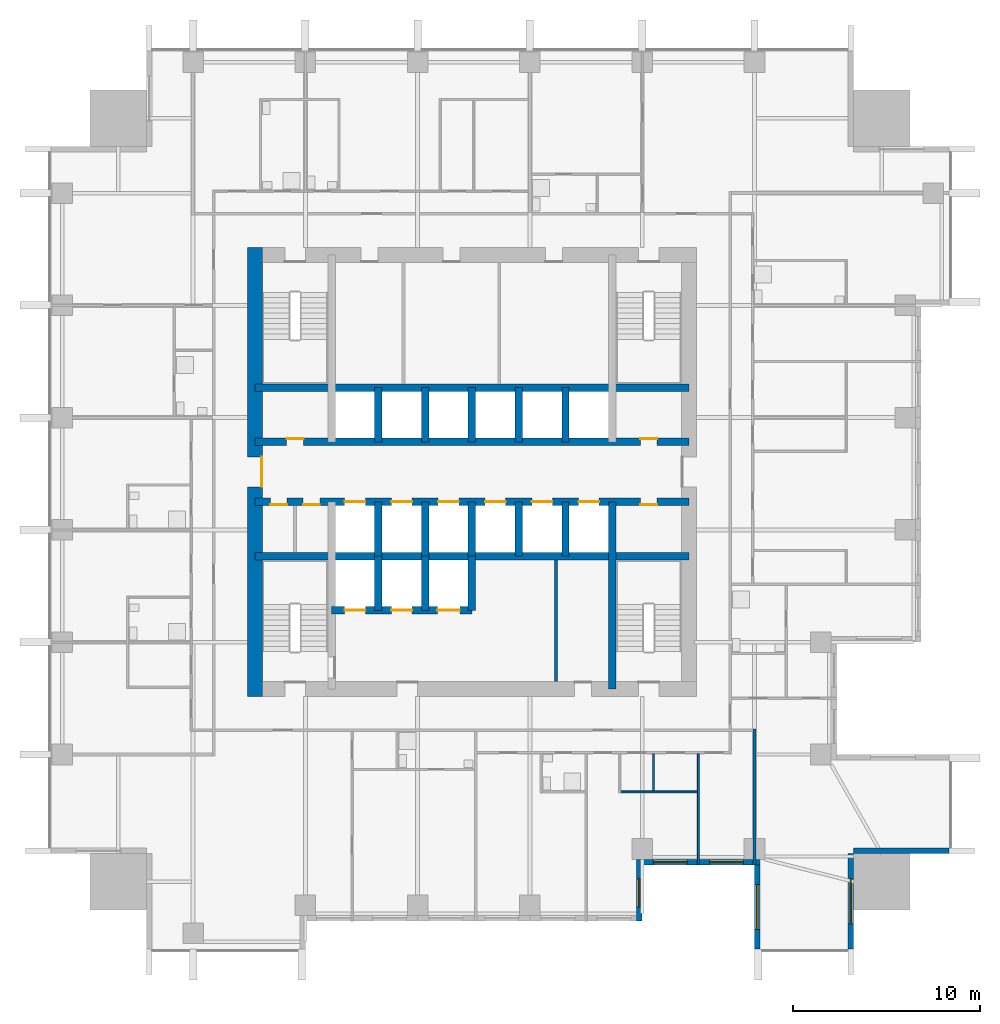
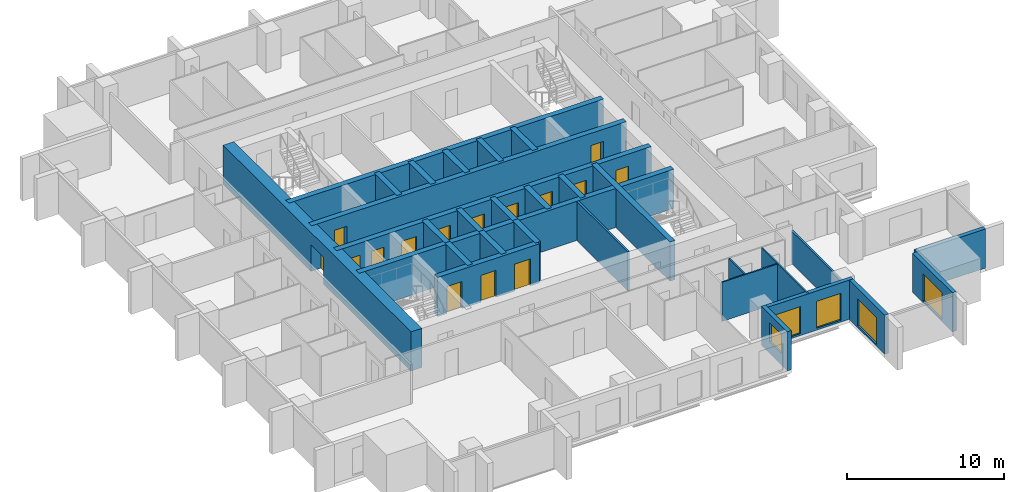
# One storey, part 5 of 10: 30 walls, 15 doors, 5 windows, 20 openings.
"""IFC4 building model written with IfcOpenShell, lengths in metres."""

from ifc_helpers import new_model, si_unit, direction, frame, frame_2d, origin, place, context, subcontext, project, spatial, rectangle, extrude, material, layer, layer_set, type_object, element, fill, save


model = new_model("IFC4")

# Units and contexts
model_context = context("Model", 3, precision=1e-05, world=origin(), true_north=direction((0.0, 1.0)))
body_context = subcontext(model_context, "Body", "Model", "MODEL_VIEW")
ifc_project = project(units=[si_unit("LENGTHUNIT", "METRE"), si_unit("AREAUNIT", "SQUARE_METRE"), si_unit("VOLUMEUNIT", "CUBIC_METRE"), si_unit("PLANEANGLEUNIT", "RADIAN"), si_unit("MASSUNIT", "GRAM", prefix="KILO")], contexts=[model_context])

# Site, building, storey
site_placement = place(None, origin())
site = spatial("IfcSite", under=ifc_project, at=site_placement, CompositionType="ELEMENT")
building_placement = place(site_placement, origin())
building = spatial("IfcBuilding", under=site, at=building_placement, Name="Amberfall Residences", CompositionType="ELEMENT")
storey_placement = place(building_placement, frame((0.0, 0.0, 82.0)))
storey = spatial("IfcBuildingStorey", under=building, at=storey_placement, Name="L21", CompositionType="ELEMENT", Elevation=82.0)

# Wall, opening, window
ifc_material_1 = material(Name="Pale stone cladding on insulated backing", Category="masonry")
ifc_layer_1 = layer(ifc_material_1, 0.300048828125)
ifc_layer_set_1 = layer_set([ifc_layer_1], Name="Bronze clad wall 300")
wall_type_1 = type_object("IfcWallType", Name="Bronze clad wall 300", PredefinedType="SOLIDWALL", material=ifc_layer_set_1)
wall_1_placement = place(storey_placement, frame((83.449951171875, 21.5, 0.0), z_axis=(0.0, 0.0, 1.0), x_axis=(0.0, 1.0, 0.0)))
wall_1 = element("IfcWall", 1, at=wall_1_placement, inside=storey, type_object=wall_type_1, Name="External wall L21 S", PredefinedType="SOLIDWALL", context=body_context, shape_type="SweptSolid", body=[
    extrude(rectangle(XDim=3.300048828125, YDim=0.300048828125, at=frame_2d((1.64990234375, 0.0))), origin(), (0.0, 0.0, 1.0), 3.050048828125),
])
opening_1_placement = place(wall_1_placement, frame((0.75, 0.0, 0.89990234375)))
opening_1 = element("IfcOpeningElement", 2, at=opening_1_placement, cuts=wall_1, Name="Opening WN1", PredefinedType="OPENING", context=body_context, shape_type="SweptSolid", body=[
    extrude(rectangle(XDim=1.5, YDim=1.5, at=frame_2d((0.75, 0.75))), frame((0.0, 0.159912109375, 0.0), z_axis=(0.0, -1.0, 0.0), x_axis=(1.0, 0.0, 0.0)), (0.0, 0.0, 1.0), 0.320068359375),
])
ifc_material_2 = material(Name="Bronze aluminium framed glazing", Category="aluminium")
window_type_1 = type_object("IfcWindowType", Name="Window 1500 x 1500 bronze", PartitioningType="DOUBLE_PANEL_VERTICAL", PredefinedType="WINDOW", material=ifc_material_2)
window_1_placement = place(opening_1_placement, origin())
window_1 = element("IfcWindow", 3, at=window_1_placement, inside=storey, type_object=window_type_1, Name="Window L21 S", OverallHeight=1.5, OverallWidth=1.5, PartitioningType="DOUBLE_PANEL_VERTICAL", PredefinedType="WINDOW", context=body_context, shape_type="SweptSolid", body=[
    extrude(rectangle(XDim=1.5, YDim=1.5, at=frame_2d((0.75, 0.75))), frame((0.0, 0.030029296875, 0.0), z_axis=(0.0, -1.0, 0.0), x_axis=(1.0, 0.0, 0.0)), (0.0, 0.0, 1.0), 0.06005859375),
])
fill(opening_1, window_1)

wall_2_placement = place(storey_placement, frame((89.75, 24.5, 0.0), z_axis=(0.0, 0.0, 1.0), x_axis=(0.0, -1.0, 0.0)))
wall_2 = element("IfcWall", 4, at=wall_2_placement, inside=storey, type_object=wall_type_1, Name="External wall L21 S", PredefinedType="SOLIDWALL", context=body_context, shape_type="SweptSolid", body=[
    extrude(rectangle(XDim=4.5, YDim=0.300048828125, at=frame_2d((2.25, 0.0))), origin(), (0.0, 0.0, 1.0), 3.050048828125),
])
opening_2_placement = place(wall_2_placement, frame((1.050048828125, 0.0, 0.14990234375)))
opening_2 = element("IfcOpeningElement", 5, at=opening_2_placement, cuts=wall_2, Name="Opening WN5", PredefinedType="OPENING", context=body_context, shape_type="SweptSolid", body=[
    extrude(rectangle(XDim=2.39990234375, YDim=2.10009765625, at=frame_2d((1.199951171875, 1.050048828125))), frame((0.0, 0.159912109375, 0.0), z_axis=(0.0, -1.0, 0.0), x_axis=(1.0, 0.0, 0.0)), (0.0, 0.0, 1.0), 0.320068359375),
])
window_type_2 = type_object("IfcWindowType", Name="Glazed opening 2400 x 2100 bronze", PartitioningType="DOUBLE_PANEL_VERTICAL", PredefinedType="WINDOW", material=ifc_material_2)
window_2_placement = place(opening_2_placement, origin())
window_2 = element("IfcWindow", 6, at=window_2_placement, inside=storey, type_object=window_type_2, Name="Window L21 S", OverallHeight=2.10009765625, OverallWidth=2.39990234375, PartitioningType="DOUBLE_PANEL_VERTICAL", PredefinedType="WINDOW", context=body_context, shape_type="SweptSolid", body=[
    extrude(rectangle(XDim=2.39990234375, YDim=2.10009765625, at=frame_2d((1.199951171875, 1.050048828125))), frame((0.0, 0.030029296875, 0.0), z_axis=(0.0, -1.0, 0.0), x_axis=(1.0, 0.0, 0.0)), (0.0, 0.0, 1.0), 0.06005859375),
])
fill(opening_2, window_2)

wall_3_placement = place(storey_placement, frame((94.75, 20.0, 0.0), z_axis=(0.0, 0.0, 1.0), x_axis=(0.0, 1.0, 0.0)))
wall_3 = element("IfcWall", 7, at=wall_3_placement, inside=storey, type_object=wall_type_1, Name="External wall L21 SE", PredefinedType="SOLIDWALL", context=body_context, shape_type="SweptSolid", body=[
    extrude(rectangle(XDim=5.10009765625, YDim=0.300048828125, at=frame_2d((2.550048828125, 0.0))), origin(), (0.0, 0.0, 1.0), 3.050048828125),
])
opening_3_placement = place(wall_3_placement, frame((1.35009765625, 0.0, 0.14990234375)))
opening_3 = element("IfcOpeningElement", 8, at=opening_3_placement, cuts=wall_3, Name="Opening WN5", PredefinedType="OPENING", context=body_context, shape_type="SweptSolid", body=[
    extrude(rectangle(XDim=2.39990234375, YDim=2.10009765625, at=frame_2d((1.199951171875, 1.050048828125))), frame((0.0, 0.159912109375, 0.0), z_axis=(0.0, -1.0, 0.0), x_axis=(1.0, 0.0, 0.0)), (0.0, 0.0, 1.0), 0.320068359375),
])
window_3_placement = place(opening_3_placement, origin())
window_3 = element("IfcWindow", 9, at=window_3_placement, inside=storey, type_object=window_type_2, Name="Window L21 SE", OverallHeight=2.10009765625, OverallWidth=2.39990234375, PartitioningType="DOUBLE_PANEL_VERTICAL", PredefinedType="WINDOW", context=body_context, shape_type="SweptSolid", body=[
    extrude(rectangle(XDim=2.39990234375, YDim=2.10009765625, at=frame_2d((1.199951171875, 1.050048828125))), frame((0.0, 0.030029296875, 0.0), z_axis=(0.0, -1.0, 0.0), x_axis=(1.0, 0.0, 0.0)), (0.0, 0.0, 1.0), 0.06005859375),
])
fill(opening_3, window_3)

# Wall
wall_4_placement = place(storey_placement, frame((94.89990234375, 25.25, 0.0), z_axis=(0.0, 0.0, 1.0), x_axis=(1.0, 0.0, 0.0)))
element("IfcWall", 10, at=wall_4_placement, inside=storey, type_object=wall_type_1, Name="External wall L21 SE", PredefinedType="SOLIDWALL", context=body_context, shape_type="SweptSolid", body=[
    extrude(rectangle(XDim=5.10009765625, YDim=0.300048828125, at=frame_2d((2.550048828125, 0.0))), origin(), (0.0, 0.0, 1.0), 3.050048828125),
])

# Wall, openings, windows
wall_5_placement = place(storey_placement, frame((83.60009765625, 24.64990234375, 0.0), z_axis=(0.0, 0.0, 1.0), x_axis=(1.0, 0.0, 0.0)))
wall_5 = element("IfcWall", 11, at=wall_5_placement, inside=storey, type_object=wall_type_1, Name="Stone wall L21 S", PredefinedType="SOLIDWALL", context=body_context, shape_type="SweptSolid", body=[
    extrude(rectangle(XDim=6.2998046875, YDim=0.300048828125, at=frame_2d((3.14990234375, 0.0))), origin(), (0.0, 0.0, 1.0), 3.050048828125),
])
opening_4_placement = place(wall_5_placement, frame((0.60009765625, 0.0, 0.14990234375)))
opening_4 = element("IfcOpeningElement", 12, at=opening_4_placement, cuts=wall_5, Name="Opening WN6", PredefinedType="OPENING", context=body_context, shape_type="SweptSolid", body=[
    extrude(rectangle(XDim=1.800048828125, YDim=2.10009765625, at=frame_2d((0.89990234375, 1.050048828125))), frame((0.0, 0.159912109375, 0.0), z_axis=(0.0, -1.0, 0.0), x_axis=(1.0, 0.0, 0.0)), (0.0, 0.0, 1.0), 0.320068359375),
])
opening_5_placement = place(wall_5_placement, frame((3.60009765625, 0.0, 0.14990234375)))
opening_5 = element("IfcOpeningElement", 13, at=opening_5_placement, cuts=wall_5, Name="Opening WN6", PredefinedType="OPENING", context=body_context, shape_type="SweptSolid", body=[
    extrude(rectangle(XDim=1.800048828125, YDim=2.10009765625, at=frame_2d((0.89990234375, 1.050048828125))), frame((0.0, 0.159912109375, 0.0), z_axis=(0.0, -1.0, 0.0), x_axis=(1.0, 0.0, 0.0)), (0.0, 0.0, 1.0), 0.320068359375),
])
window_type_3 = type_object("IfcWindowType", Name="Glazed opening 1800 x 2100 bronze", PartitioningType="DOUBLE_PANEL_VERTICAL", PredefinedType="WINDOW", material=ifc_material_2)
window_4_placement = place(opening_4_placement, origin())
window_4 = element("IfcWindow", 14, at=window_4_placement, inside=storey, type_object=window_type_3, Name="Window L21 S", OverallHeight=2.10009765625, OverallWidth=1.800048828125, PartitioningType="DOUBLE_PANEL_VERTICAL", PredefinedType="WINDOW", context=body_context, shape_type="SweptSolid", body=[
    extrude(rectangle(XDim=1.800048828125, YDim=2.10009765625, at=frame_2d((0.89990234375, 1.050048828125))), frame((0.0, 0.030029296875, 0.0), z_axis=(0.0, -1.0, 0.0), x_axis=(1.0, 0.0, 0.0)), (0.0, 0.0, 1.0), 0.06005859375),
])
fill(opening_4, window_4)
window_5_placement = place(opening_5_placement, origin())
window_5 = element("IfcWindow", 15, at=window_5_placement, inside=storey, type_object=window_type_3, Name="Window L21 S", OverallHeight=2.10009765625, OverallWidth=1.800048828125, PartitioningType="DOUBLE_PANEL_VERTICAL", PredefinedType="WINDOW", context=body_context, shape_type="SweptSolid", body=[
    extrude(rectangle(XDim=1.800048828125, YDim=2.10009765625, at=frame_2d((0.89990234375, 1.050048828125))), frame((0.0, 0.030029296875, 0.0), z_axis=(0.0, -1.0, 0.0), x_axis=(1.0, 0.0, 0.0)), (0.0, 0.0, 1.0), 0.06005859375),
])
fill(opening_5, window_5)

# Wall
ifc_material_3 = material(Name="Concrete C70", Category="concrete")
ifc_layer_2 = layer(ifc_material_3, 0.39990234375)
ifc_layer_set_2 = layer_set([ifc_layer_2], Name="Core wall 400 C70")
wall_type_2 = type_object("IfcWallType", Name="Core wall 400 C70", PredefinedType="SHEAR", material=ifc_layer_set_2)
wall_6_placement = place(storey_placement, frame((62.89990234375, 41.0, 0.0), z_axis=(0.0, 0.0, 1.0), x_axis=(1.0, 0.0, 0.0)))
element("IfcWall", 16, at=wall_6_placement, inside=storey, type_object=wall_type_2, Name="Core wall RW4 L21 H75", PredefinedType="SHEAR", context=body_context, shape_type="SweptSolid", body=[
    extrude(rectangle(XDim=23.2001953125, YDim=0.39990234375, at=frame_2d((11.60009765625, 0.0))), origin(), (0.0, 0.0, 1.0), 3.050048828125),
])

# Wall, openings, doors
wall_7_placement = place(storey_placement, frame((62.89990234375, 43.89990234375, 0.0), z_axis=(0.0, 0.0, 1.0), x_axis=(1.0, 0.0, 0.0)))
wall_7 = element("IfcWall", 17, at=wall_7_placement, inside=storey, type_object=wall_type_2, Name="Core wall RW4 L21 H104", PredefinedType="SHEAR", context=body_context, shape_type="SweptSolid", body=[
    extrude(rectangle(XDim=23.2001953125, YDim=0.39990234375, at=frame_2d((11.60009765625, 0.0))), origin(), (0.0, 0.0, 1.0), 3.050048828125),
])
opening_6_placement = place(wall_7_placement, frame((0.824951171875, 0.0, 0.0)))
opening_6 = element("IfcOpeningElement", 18, at=opening_6_placement, cuts=wall_7, Name="Opening RD1", PredefinedType="OPENING", context=body_context, shape_type="SweptSolid", body=[
    extrude(rectangle(XDim=0.89990234375, YDim=2.10009765625, at=frame_2d((0.449951171875, 1.050048828125))), frame((0.0, 0.2099609375, 0.0), z_axis=(0.0, -1.0, 0.0), x_axis=(1.0, 0.0, 0.0)), (0.0, 0.0, 1.0), 0.419921875),
])
opening_7_placement = place(wall_7_placement, frame((2.574951171875, 0.0, 0.0)))
opening_7 = element("IfcOpeningElement", 19, at=opening_7_placement, cuts=wall_7, Name="Opening RD1", PredefinedType="OPENING", context=body_context, shape_type="SweptSolid", body=[
    extrude(rectangle(XDim=0.89990234375, YDim=2.10009765625, at=frame_2d((0.449951171875, 1.050048828125))), frame((0.0, 0.2099609375, 0.0), z_axis=(0.0, -1.0, 0.0), x_axis=(1.0, 0.0, 0.0)), (0.0, 0.0, 1.0), 0.419921875),
])
opening_8_placement = place(wall_7_placement, frame((20.60009765625, 0.0, 0.0)))
opening_8 = element("IfcOpeningElement", 20, at=opening_8_placement, cuts=wall_7, Name="Opening RD1", PredefinedType="OPENING", context=body_context, shape_type="SweptSolid", body=[
    extrude(rectangle(XDim=0.89990234375, YDim=2.10009765625, at=frame_2d((0.449951171875, 1.050048828125))), frame((0.0, 0.2099609375, 0.0), z_axis=(0.0, -1.0, 0.0), x_axis=(1.0, 0.0, 0.0)), (0.0, 0.0, 1.0), 0.419921875),
])
opening_9_placement = place(wall_7_placement, frame((4.800048828125, 0.0, 0.0)))
opening_9 = element("IfcOpeningElement", 21, at=opening_9_placement, cuts=wall_7, Name="Opening LD1", PredefinedType="OPENING", context=body_context, shape_type="SweptSolid", body=[
    extrude(rectangle(XDim=1.10009765625, YDim=2.10009765625, at=frame_2d((0.550048828125, 1.050048828125))), frame((0.0, 0.2099609375, 0.0), z_axis=(0.0, -1.0, 0.0), x_axis=(1.0, 0.0, 0.0)), (0.0, 0.0, 1.0), 0.419921875),
])
opening_10_placement = place(wall_7_placement, frame((7.300048828125, 0.0, 0.0)))
opening_10 = element("IfcOpeningElement", 22, at=opening_10_placement, cuts=wall_7, Name="Opening LD1", PredefinedType="OPENING", context=body_context, shape_type="SweptSolid", body=[
    extrude(rectangle(XDim=1.10009765625, YDim=2.10009765625, at=frame_2d((0.550048828125, 1.050048828125))), frame((0.0, 0.2099609375, 0.0), z_axis=(0.0, -1.0, 0.0), x_axis=(1.0, 0.0, 0.0)), (0.0, 0.0, 1.0), 0.419921875),
])
opening_11_placement = place(wall_7_placement, frame((9.800048828125, 0.0, 0.0)))
opening_11 = element("IfcOpeningElement", 23, at=opening_11_placement, cuts=wall_7, Name="Opening LD1", PredefinedType="OPENING", context=body_context, shape_type="SweptSolid", body=[
    extrude(rectangle(XDim=1.10009765625, YDim=2.10009765625, at=frame_2d((0.550048828125, 1.050048828125))), frame((0.0, 0.2099609375, 0.0), z_axis=(0.0, -1.0, 0.0), x_axis=(1.0, 0.0, 0.0)), (0.0, 0.0, 1.0), 0.419921875),
])
opening_12_placement = place(wall_7_placement, frame((12.300048828125, 0.0, 0.0)))
opening_12 = element("IfcOpeningElement", 24, at=opening_12_placement, cuts=wall_7, Name="Opening LD1", PredefinedType="OPENING", context=body_context, shape_type="SweptSolid", body=[
    extrude(rectangle(XDim=1.10009765625, YDim=2.10009765625, at=frame_2d((0.550048828125, 1.050048828125))), frame((0.0, 0.2099609375, 0.0), z_axis=(0.0, -1.0, 0.0), x_axis=(1.0, 0.0, 0.0)), (0.0, 0.0, 1.0), 0.419921875),
])
opening_13_placement = place(wall_7_placement, frame((14.800048828125, 0.0, 0.0)))
opening_13 = element("IfcOpeningElement", 25, at=opening_13_placement, cuts=wall_7, Name="Opening LD1", PredefinedType="OPENING", context=body_context, shape_type="SweptSolid", body=[
    extrude(rectangle(XDim=1.10009765625, YDim=2.10009765625, at=frame_2d((0.550048828125, 1.050048828125))), frame((0.0, 0.2099609375, 0.0), z_axis=(0.0, -1.0, 0.0), x_axis=(1.0, 0.0, 0.0)), (0.0, 0.0, 1.0), 0.419921875),
])
opening_14_placement = place(wall_7_placement, frame((17.300048828125, 0.0, 0.0)))
opening_14 = element("IfcOpeningElement", 26, at=opening_14_placement, cuts=wall_7, Name="Opening LD1", PredefinedType="OPENING", context=body_context, shape_type="SweptSolid", body=[
    extrude(rectangle(XDim=1.10009765625, YDim=2.10009765625, at=frame_2d((0.550048828125, 1.050048828125))), frame((0.0, 0.2099609375, 0.0), z_axis=(0.0, -1.0, 0.0), x_axis=(1.0, 0.0, 0.0)), (0.0, 0.0, 1.0), 0.419921875),
])
ifc_material_4 = material(Name="Steel fire door set", Category="steel")
door_type_1 = type_object("IfcDoorType", Name="Lift landing door 1100 x 2100", OperationType="DOUBLE_DOOR_SLIDING", PredefinedType="DOOR", material=ifc_material_4)
door_1_placement = place(opening_9_placement, origin())
door_1 = element("IfcDoor", 27, at=door_1_placement, inside=storey, type_object=door_type_1, Name="Landing door LP1 L21", OperationType="DOUBLE_DOOR_SLIDING", OverallHeight=2.10009765625, OverallWidth=1.10009765625, PredefinedType="DOOR", context=body_context, shape_type="SweptSolid", body=[
    extrude(rectangle(XDim=1.10009765625, YDim=2.10009765625, at=frame_2d((0.550048828125, 1.050048828125))), frame((0.0, 0.02490234375, 0.0), z_axis=(0.0, -1.0, 0.0), x_axis=(1.0, 0.0, 0.0)), (0.0, 0.0, 1.0), 0.050048828125),
])
fill(opening_9, door_1)
door_2_placement = place(opening_10_placement, origin())
door_2 = element("IfcDoor", 28, at=door_2_placement, inside=storey, type_object=door_type_1, Name="Landing door LP2 L21", OperationType="DOUBLE_DOOR_SLIDING", OverallHeight=2.10009765625, OverallWidth=1.10009765625, PredefinedType="DOOR", context=body_context, shape_type="SweptSolid", body=[
    extrude(rectangle(XDim=1.10009765625, YDim=2.10009765625, at=frame_2d((0.550048828125, 1.050048828125))), frame((0.0, 0.02490234375, 0.0), z_axis=(0.0, -1.0, 0.0), x_axis=(1.0, 0.0, 0.0)), (0.0, 0.0, 1.0), 0.050048828125),
])
fill(opening_10, door_2)
door_3_placement = place(opening_11_placement, origin())
door_3 = element("IfcDoor", 29, at=door_3_placement, inside=storey, type_object=door_type_1, Name="Landing door LP3 L21", OperationType="DOUBLE_DOOR_SLIDING", OverallHeight=2.10009765625, OverallWidth=1.10009765625, PredefinedType="DOOR", context=body_context, shape_type="SweptSolid", body=[
    extrude(rectangle(XDim=1.10009765625, YDim=2.10009765625, at=frame_2d((0.550048828125, 1.050048828125))), frame((0.0, 0.02490234375, 0.0), z_axis=(0.0, -1.0, 0.0), x_axis=(1.0, 0.0, 0.0)), (0.0, 0.0, 1.0), 0.050048828125),
])
fill(opening_11, door_3)
door_4_placement = place(opening_12_placement, origin())
door_4 = element("IfcDoor", 30, at=door_4_placement, inside=storey, type_object=door_type_1, Name="Landing door LP4 L21", OperationType="DOUBLE_DOOR_SLIDING", OverallHeight=2.10009765625, OverallWidth=1.10009765625, PredefinedType="DOOR", context=body_context, shape_type="SweptSolid", body=[
    extrude(rectangle(XDim=1.10009765625, YDim=2.10009765625, at=frame_2d((0.550048828125, 1.050048828125))), frame((0.0, 0.02490234375, 0.0), z_axis=(0.0, -1.0, 0.0), x_axis=(1.0, 0.0, 0.0)), (0.0, 0.0, 1.0), 0.050048828125),
])
fill(opening_12, door_4)
door_5_placement = place(opening_13_placement, origin())
door_5 = element("IfcDoor", 31, at=door_5_placement, inside=storey, type_object=door_type_1, Name="Landing door LP5 L21", OperationType="DOUBLE_DOOR_SLIDING", OverallHeight=2.10009765625, OverallWidth=1.10009765625, PredefinedType="DOOR", context=body_context, shape_type="SweptSolid", body=[
    extrude(rectangle(XDim=1.10009765625, YDim=2.10009765625, at=frame_2d((0.550048828125, 1.050048828125))), frame((0.0, 0.02490234375, 0.0), z_axis=(0.0, -1.0, 0.0), x_axis=(1.0, 0.0, 0.0)), (0.0, 0.0, 1.0), 0.050048828125),
])
fill(opening_13, door_5)
door_6_placement = place(opening_14_placement, origin())
door_6 = element("IfcDoor", 32, at=door_6_placement, inside=storey, type_object=door_type_1, Name="Landing door LP6 L21", OperationType="DOUBLE_DOOR_SLIDING", OverallHeight=2.10009765625, OverallWidth=1.10009765625, PredefinedType="DOOR", context=body_context, shape_type="SweptSolid", body=[
    extrude(rectangle(XDim=1.10009765625, YDim=2.10009765625, at=frame_2d((0.550048828125, 1.050048828125))), frame((0.0, 0.02490234375, 0.0), z_axis=(0.0, -1.0, 0.0), x_axis=(1.0, 0.0, 0.0)), (0.0, 0.0, 1.0), 0.050048828125),
])
fill(opening_14, door_6)
door_type_2 = type_object("IfcDoorType", Name="Service room door 900 x 2100", OperationType="SINGLE_SWING_LEFT", PredefinedType="DOOR", material=ifc_material_4)
door_7_placement = place(opening_6_placement, origin())
door_7 = element("IfcDoor", 33, at=door_7_placement, inside=storey, type_object=door_type_2, Name="RD1 L21", OperationType="SINGLE_SWING_LEFT", OverallHeight=2.10009765625, OverallWidth=0.89990234375, PredefinedType="DOOR", context=body_context, shape_type="SweptSolid", body=[
    extrude(rectangle(XDim=0.89990234375, YDim=2.10009765625, at=frame_2d((0.449951171875, 1.050048828125))), frame((0.0, -0.1376953125, 0.0), z_axis=(0.0, -1.0, 0.0), x_axis=(1.0, 0.0, 0.0)), (0.0, 0.0, 1.0), 0.050048828125),
])
fill(opening_6, door_7)
door_8_placement = place(opening_7_placement, origin())
door_8 = element("IfcDoor", 34, at=door_8_placement, inside=storey, type_object=door_type_2, Name="RD1 L21", OperationType="SINGLE_SWING_RIGHT", OverallHeight=2.10009765625, OverallWidth=0.89990234375, PredefinedType="DOOR", context=body_context, shape_type="SweptSolid", body=[
    extrude(rectangle(XDim=0.89990234375, YDim=2.10009765625, at=frame_2d((0.449951171875, 1.050048828125))), frame((0.0, -0.1376953125, 0.0), z_axis=(0.0, -1.0, 0.0), x_axis=(1.0, 0.0, 0.0)), (0.0, 0.0, 1.0), 0.050048828125),
])
fill(opening_7, door_8)
door_9_placement = place(opening_8_placement, origin())
door_9 = element("IfcDoor", 35, at=door_9_placement, inside=storey, type_object=door_type_2, Name="RD1 L21", OperationType="SINGLE_SWING_LEFT", OverallHeight=2.10009765625, OverallWidth=0.89990234375, PredefinedType="DOOR", context=body_context, shape_type="SweptSolid", body=[
    extrude(rectangle(XDim=0.89990234375, YDim=2.10009765625, at=frame_2d((0.449951171875, 1.050048828125))), frame((0.0, -0.1376953125, 0.0), z_axis=(0.0, -1.0, 0.0), x_axis=(1.0, 0.0, 0.0)), (0.0, 0.0, 1.0), 0.050048828125),
])
fill(opening_8, door_9)

wall_8_placement = place(storey_placement, frame((62.89990234375, 47.10009765625, 0.0), z_axis=(0.0, 0.0, 1.0), x_axis=(1.0, 0.0, 0.0)))
wall_8 = element("IfcWall", 36, at=wall_8_placement, inside=storey, type_object=wall_type_2, Name="Core wall RW4 L21 H136", PredefinedType="SHEAR", context=body_context, shape_type="SweptSolid", body=[
    extrude(rectangle(XDim=23.2001953125, YDim=0.39990234375, at=frame_2d((11.60009765625, 0.0))), origin(), (0.0, 0.0, 1.0), 3.050048828125),
])
opening_15_placement = place(wall_8_placement, frame((1.699951171875, 0.0, 0.0)))
opening_15 = element("IfcOpeningElement", 37, at=opening_15_placement, cuts=wall_8, Name="Opening RD1", PredefinedType="OPENING", context=body_context, shape_type="SweptSolid", body=[
    extrude(rectangle(XDim=0.89990234375, YDim=2.10009765625, at=frame_2d((0.449951171875, 1.050048828125))), frame((0.0, 0.2099609375, 0.0), z_axis=(0.0, -1.0, 0.0), x_axis=(1.0, 0.0, 0.0)), (0.0, 0.0, 1.0), 0.419921875),
])
opening_16_placement = place(wall_8_placement, frame((20.60009765625, 0.0, 0.0)))
opening_16 = element("IfcOpeningElement", 38, at=opening_16_placement, cuts=wall_8, Name="Opening RD1", PredefinedType="OPENING", context=body_context, shape_type="SweptSolid", body=[
    extrude(rectangle(XDim=0.89990234375, YDim=2.10009765625, at=frame_2d((0.449951171875, 1.050048828125))), frame((0.0, 0.2099609375, 0.0), z_axis=(0.0, -1.0, 0.0), x_axis=(1.0, 0.0, 0.0)), (0.0, 0.0, 1.0), 0.419921875),
])
door_10_placement = place(opening_15_placement, origin())
door_10 = element("IfcDoor", 39, at=door_10_placement, inside=storey, type_object=door_type_2, Name="RD1 L21", OperationType="SINGLE_SWING_LEFT", OverallHeight=2.10009765625, OverallWidth=0.89990234375, PredefinedType="DOOR", context=body_context, shape_type="SweptSolid", body=[
    extrude(rectangle(XDim=0.89990234375, YDim=2.10009765625, at=frame_2d((0.449951171875, 1.050048828125))), frame((0.0, 0.1875, 0.0), z_axis=(0.0, -1.0, 0.0), x_axis=(1.0, 0.0, 0.0)), (0.0, 0.0, 1.0), 0.050048828125),
])
fill(opening_15, door_10)
door_11_placement = place(opening_16_placement, origin())
door_11 = element("IfcDoor", 40, at=door_11_placement, inside=storey, type_object=door_type_2, Name="RD1 L21", OperationType="SINGLE_SWING_LEFT", OverallHeight=2.10009765625, OverallWidth=0.89990234375, PredefinedType="DOOR", context=body_context, shape_type="SweptSolid", body=[
    extrude(rectangle(XDim=0.89990234375, YDim=2.10009765625, at=frame_2d((0.449951171875, 1.050048828125))), frame((0.0, 0.1875, 0.0), z_axis=(0.0, -1.0, 0.0), x_axis=(1.0, 0.0, 0.0)), (0.0, 0.0, 1.0), 0.050048828125),
])
fill(opening_16, door_11)

# Walls
wall_9_placement = place(storey_placement, frame((62.89990234375, 50.0, 0.0), z_axis=(0.0, 0.0, 1.0), x_axis=(1.0, 0.0, 0.0)))
element("IfcWall", 41, at=wall_9_placement, inside=storey, type_object=wall_type_2, Name="Core wall RW4 L21 H165", PredefinedType="SHEAR", context=body_context, shape_type="SweptSolid", body=[
    extrude(rectangle(XDim=23.2001953125, YDim=0.39990234375, at=frame_2d((11.60009765625, 0.0))), origin(), (0.0, 0.0, 1.0), 3.050048828125),
])
wall_10_placement = place(storey_placement, frame((82.0, 33.89990234375, 0.0), z_axis=(0.0, 0.0, 1.0), x_axis=(0.0, 1.0, 0.0)))
element("IfcWall", 42, at=wall_10_placement, inside=storey, type_object=wall_type_2, Name="Core wall RW4 L21 V195S", PredefinedType="SHEAR", context=body_context, shape_type="SweptSolid", body=[
    extrude(rectangle(XDim=10.0, YDim=0.39990234375, at=frame_2d((5.0, 0.0))), origin(), (0.0, 0.0, 1.0), 3.050048828125),
])
for number, where, z_axis, x_axis, name in (
    (43, (69.5, 41.0, 0.0), (0.0, 0.0, 1.0), (0.0, 1.0, 0.0), "Core wall RW4 L21 LPD1"),
    (44, (69.5, 47.10009765625, 0.0), (0.0, 0.0, 1.0), (0.0, 1.0, 0.0), "Core wall RW4 L21 HPD1"),
    (45, (72.0, 41.0, 0.0), (0.0, 0.0, 1.0), (0.0, 1.0, 0.0), "Core wall RW4 L21 LPD2"),
    (46, (72.0, 47.10009765625, 0.0), (0.0, 0.0, 1.0), (0.0, 1.0, 0.0), "Core wall RW4 L21 HPD2"),
    (47, (74.5, 41.0, 0.0), (0.0, 0.0, 1.0), (0.0, 1.0, 0.0), "Core wall RW4 L21 LPD3"),
    (48, (74.5, 47.10009765625, 0.0), (0.0, 0.0, 1.0), (0.0, 1.0, 0.0), "Core wall RW4 L21 HPD3"),
    (49, (77.0, 41.0, 0.0), (0.0, 0.0, 1.0), (0.0, 1.0, 0.0), "Core wall RW4 L21 LPD4"),
    (50, (77.0, 47.10009765625, 0.0), (0.0, 0.0, 1.0), (0.0, 1.0, 0.0), "Core wall RW4 L21 HPD4"),
    (51, (79.5, 41.0, 0.0), (0.0, 0.0, 1.0), (0.0, 1.0, 0.0), "Core wall RW4 L21 LPD5"),
    (52, (79.5, 47.10009765625, 0.0), (0.0, 0.0, 1.0), (0.0, 1.0, 0.0), "Core wall RW4 L21 HPD5"),
):
    element("IfcWall", number, at=place(storey_placement, frame(where, z_axis=z_axis, x_axis=x_axis)), inside=storey, type_object=wall_type_2, Name=name, PredefinedType="SHEAR", context=body_context, shape_type="SweptSolid", body=[
        extrude(rectangle(XDim=2.89990234375, YDim=0.39990234375, at=frame_2d((1.449951171875, 0.0))), origin(), (0.0, 0.0, 1.0), 3.050048828125),
    ])

# Wall, openings, doors
wall_11_placement = place(storey_placement, frame((67.0, 38.10009765625, 0.0), z_axis=(0.0, 0.0, 1.0), x_axis=(1.0, 0.0, 0.0)))
wall_11 = element("IfcWall", 53, at=wall_11_placement, inside=storey, type_object=wall_type_2, Name="Core wall RW4 L21 FFF", PredefinedType="SHEAR", context=body_context, shape_type="SweptSolid", body=[
    extrude(rectangle(XDim=7.5, YDim=0.39990234375, at=frame_2d((3.75, 0.0))), origin(), (0.0, 0.0, 1.0), 3.050048828125),
])
opening_17_placement = place(wall_11_placement, frame((0.699951171875, 0.0, 0.0)))
opening_17 = element("IfcOpeningElement", 54, at=opening_17_placement, cuts=wall_11, Name="Opening LD2", PredefinedType="OPENING", context=body_context, shape_type="SweptSolid", body=[
    extrude(rectangle(XDim=1.10009765625, YDim=2.10009765625, at=frame_2d((0.550048828125, 1.050048828125))), frame((0.0, 0.2099609375, 0.0), z_axis=(0.0, -1.0, 0.0), x_axis=(1.0, 0.0, 0.0)), (0.0, 0.0, 1.0), 0.419921875),
])
opening_18_placement = place(wall_11_placement, frame((3.199951171875, 0.0, 0.0)))
opening_18 = element("IfcOpeningElement", 55, at=opening_18_placement, cuts=wall_11, Name="Opening LD2", PredefinedType="OPENING", context=body_context, shape_type="SweptSolid", body=[
    extrude(rectangle(XDim=1.10009765625, YDim=2.10009765625, at=frame_2d((0.550048828125, 1.050048828125))), frame((0.0, 0.2099609375, 0.0), z_axis=(0.0, -1.0, 0.0), x_axis=(1.0, 0.0, 0.0)), (0.0, 0.0, 1.0), 0.419921875),
])
opening_19_placement = place(wall_11_placement, frame((5.64990234375, 0.0, 0.0)))
opening_19 = element("IfcOpeningElement", 56, at=opening_19_placement, cuts=wall_11, Name="Opening LD3", PredefinedType="OPENING", context=body_context, shape_type="SweptSolid", body=[
    extrude(rectangle(XDim=1.199951171875, YDim=2.10009765625, at=frame_2d((0.60009765625, 1.050048828125))), frame((0.0, 0.2099609375, 0.0), z_axis=(0.0, -1.0, 0.0), x_axis=(1.0, 0.0, 0.0)), (0.0, 0.0, 1.0), 0.419921875),
])
door_type_3 = type_object("IfcDoorType", Name="Firefighting lift landing door 1100 x 2100", OperationType="DOUBLE_DOOR_SLIDING", PredefinedType="DOOR", material=ifc_material_4)
door_12_placement = place(opening_17_placement, origin())
door_12 = element("IfcDoor", 57, at=door_12_placement, inside=storey, type_object=door_type_3, Name="Landing door FF1 L21", OperationType="DOUBLE_DOOR_SLIDING", OverallHeight=2.10009765625, OverallWidth=1.10009765625, PredefinedType="DOOR", context=body_context, shape_type="SweptSolid", body=[
    extrude(rectangle(XDim=1.10009765625, YDim=2.10009765625, at=frame_2d((0.550048828125, 1.050048828125))), frame((0.0, 0.02490234375, 0.0), z_axis=(0.0, -1.0, 0.0), x_axis=(1.0, 0.0, 0.0)), (0.0, 0.0, 1.0), 0.050048828125),
])
fill(opening_17, door_12)
door_13_placement = place(opening_18_placement, origin())
door_13 = element("IfcDoor", 58, at=door_13_placement, inside=storey, type_object=door_type_3, Name="Landing door FF2 L21", OperationType="DOUBLE_DOOR_SLIDING", OverallHeight=2.10009765625, OverallWidth=1.10009765625, PredefinedType="DOOR", context=body_context, shape_type="SweptSolid", body=[
    extrude(rectangle(XDim=1.10009765625, YDim=2.10009765625, at=frame_2d((0.550048828125, 1.050048828125))), frame((0.0, 0.02490234375, 0.0), z_axis=(0.0, -1.0, 0.0), x_axis=(1.0, 0.0, 0.0)), (0.0, 0.0, 1.0), 0.050048828125),
])
fill(opening_18, door_13)
door_type_4 = type_object("IfcDoorType", Name="Service lift landing door 1200 x 2100", OperationType="DOUBLE_DOOR_SLIDING", PredefinedType="DOOR", material=ifc_material_4)
door_14_placement = place(opening_19_placement, origin())
door_14 = element("IfcDoor", 59, at=door_14_placement, inside=storey, type_object=door_type_4, Name="Landing door SL1 L21", OperationType="DOUBLE_DOOR_SLIDING", OverallHeight=2.10009765625, OverallWidth=1.199951171875, PredefinedType="DOOR", context=body_context, shape_type="SweptSolid", body=[
    extrude(rectangle(XDim=1.199951171875, YDim=2.10009765625, at=frame_2d((0.60009765625, 1.050048828125))), frame((0.0, 0.02490234375, 0.0), z_axis=(0.0, -1.0, 0.0), x_axis=(1.0, 0.0, 0.0)), (0.0, 0.0, 1.0), 0.050048828125),
])
fill(opening_19, door_14)

# Walls
for number, where, z_axis, x_axis, name in (
    (60, (69.5, 38.10009765625, 0.0), (0.0, 0.0, 1.0), (0.0, 1.0, 0.0), "Core wall RW4 L21 FFD1"),
    (61, (72.0, 38.10009765625, 0.0), (0.0, 0.0, 1.0), (0.0, 1.0, 0.0), "Core wall RW4 L21 FFD2"),
    (62, (74.5, 38.10009765625, 0.0), (0.0, 0.0, 1.0), (0.0, 1.0, 0.0), "Core wall RW4 L21 FFD3"),
):
    element("IfcWall", number, at=place(storey_placement, frame(where, z_axis=z_axis, x_axis=x_axis)), inside=storey, type_object=wall_type_2, Name=name, PredefinedType="SHEAR", context=body_context, shape_type="SweptSolid", body=[
        extrude(rectangle(XDim=2.89990234375, YDim=0.39990234375, at=frame_2d((1.449951171875, 0.0))), origin(), (0.0, 0.0, 1.0), 3.050048828125),
    ])

# Wall, opening, door
ifc_layer_3 = layer(ifc_material_3, 0.800048828125)
ifc_layer_set_3 = layer_set([ifc_layer_3], Name="Core wall 800 C70")
wall_type_3 = type_object("IfcWallType", Name="Core wall 800 C70", PredefinedType="SHEAR", material=ifc_layer_set_3)
wall_12_placement = place(storey_placement, frame((62.89990234375, 33.5, 0.0), z_axis=(0.0, 0.0, 1.0), x_axis=(0.0, 1.0, 0.0)))
wall_12 = element("IfcWall", 63, at=wall_12_placement, inside=storey, type_object=wall_type_3, Name="Core wall RW3 L21 OW", PredefinedType="SHEAR", context=body_context, shape_type="SweptSolid", body=[
    extrude(rectangle(XDim=24.0, YDim=0.800048828125, at=frame_2d((12.0, 0.0))), origin(), (0.0, 0.0, 1.0), 3.050048828125),
])
opening_20_placement = place(wall_12_placement, frame((11.199951171875, 0.0, 0.0)))
opening_20 = element("IfcOpeningElement", 64, at=opening_20_placement, cuts=wall_12, Name="Opening LB1", PredefinedType="OPENING", context=body_context, shape_type="SweptSolid", body=[
    extrude(rectangle(XDim=1.60009765625, YDim=2.10009765625, at=frame_2d((0.800048828125, 1.050048828125))), frame((0.0, 0.409912109375, 0.0), z_axis=(0.0, -1.0, 0.0), x_axis=(1.0, 0.0, 0.0)), (0.0, 0.0, 1.0), 0.820068359375),
])
door_type_5 = type_object("IfcDoorType", Name="Lift lobby double door 1600 x 2100", OperationType="DOUBLE_DOOR_SINGLE_SWING", PredefinedType="DOOR", material=ifc_material_4)
door_15_placement = place(opening_20_placement, origin())
door_15 = element("IfcDoor", 65, at=door_15_placement, inside=storey, type_object=door_type_5, Name="LB1 L21", OperationType="DOUBLE_DOOR_SINGLE_SWING", OverallHeight=2.10009765625, OverallWidth=1.60009765625, PredefinedType="DOOR", context=body_context, shape_type="SweptSolid", body=[
    extrude(rectangle(XDim=1.60009765625, YDim=2.10009765625, at=frame_2d((0.800048828125, 1.050048828125))), frame((0.0, -0.33740234375, 0.0), z_axis=(0.0, -1.0, 0.0), x_axis=(1.0, 0.0, 0.0)), (0.0, 0.0, 1.0), 0.050048828125),
])
fill(opening_20, door_15)

# Walls
ifc_material_5 = material(Name="Gypsum board on metal stud")
ifc_layer_4 = layer(ifc_material_5, 0.10009765625)
ifc_layer_set_4 = layer_set([ifc_layer_4], Name="Flat partition 100")
wall_type_4 = type_object("IfcWallType", Name="Flat partition 100", PredefinedType="PARTITIONING", material=ifc_layer_set_4)
wall_13_placement = place(storey_placement, frame((84.199951171875, 28.449951171875, 0.0), z_axis=(0.0, 0.0, 1.0), x_axis=(0.0, 1.0, 0.0)))
element("IfcWall", 66, at=wall_13_placement, inside=storey, type_object=wall_type_4, Name="Partition 018", PredefinedType="PARTITIONING", context=body_context, shape_type="SweptSolid", body=[
    extrude(rectangle(XDim=2.0, YDim=0.10009765625, at=frame_2d((1.0, 0.0))), origin(), (0.0, 0.0, 1.0), 3.050048828125),
])
wall_14_placement = place(storey_placement, frame((86.60009765625, 24.5, 0.0), z_axis=(0.0, 0.0, 1.0), x_axis=(0.0, 1.0, 0.0)))
element("IfcWall", 67, at=wall_14_placement, inside=storey, type_object=wall_type_4, Name="Partition 019", PredefinedType="PARTITIONING", context=body_context, shape_type="SweptSolid", body=[
    extrude(rectangle(XDim=5.949951171875, YDim=0.10009765625, at=frame_2d((2.97509765625, 0.0))), origin(), (0.0, 0.0, 1.0), 3.050048828125),
])
wall_15_placement = place(storey_placement, frame((82.449951171875, 28.39990234375, 0.0), z_axis=(0.0, 0.0, 1.0), x_axis=(1.0, 0.0, 0.0)))
element("IfcWall", 68, at=wall_15_placement, inside=storey, type_object=wall_type_4, Name="Partition 050", PredefinedType="PARTITIONING", context=body_context, shape_type="SweptSolid", body=[
    extrude(rectangle(XDim=4.10009765625, YDim=0.10009765625, at=frame_2d((2.050048828125, 0.0))), origin(), (0.0, 0.0, 1.0), 3.050048828125),
])
ifc_material_6 = material(Name="Blockwork, plastered", Category="masonry")
ifc_layer_5 = layer(ifc_material_6, 0.14990234375)
ifc_layer_set_5 = layer_set([ifc_layer_5], Name="Flat separating wall 150")
wall_type_5 = type_object("IfcWallType", Name="Flat separating wall 150", PredefinedType="PARTITIONING", material=ifc_layer_set_5)
wall_16_placement = place(storey_placement, frame((89.60009765625, 24.5, 0.0), z_axis=(0.0, 0.0, 1.0), x_axis=(0.0, 1.0, 0.0)))
element("IfcWall", 69, at=wall_16_placement, inside=storey, type_object=wall_type_5, Name="Separating wall 056", PredefinedType="PARTITIONING", context=body_context, shape_type="SweptSolid", body=[
    extrude(rectangle(XDim=7.27490234375, YDim=0.14990234375, at=frame_2d((3.637451171875, 0.0))), origin(), (0.0, 0.0, 1.0), 2.51611328125),
])
ifc_material_7 = material(Name="Concrete blockwork", Category="masonry")
ifc_layer_6 = layer(ifc_material_7, 0.14990234375)
ifc_layer_set_6 = layer_set([ifc_layer_6], Name="Riser wall 150")
wall_type_6 = type_object("IfcWallType", Name="Riser wall 150", PredefinedType="PLUMBINGWALL", material=ifc_layer_set_6)
wall_17_placement = place(storey_placement, frame((79.0, 34.300048828125, 0.0), z_axis=(0.0, 0.0, 1.0), x_axis=(0.0, 1.0, 0.0)))
element("IfcWall", 70, at=wall_17_placement, inside=storey, type_object=wall_type_6, Name="L21 core wall PX", PredefinedType="PLUMBINGWALL", context=body_context, shape_type="SweptSolid", body=[
    extrude(rectangle(XDim=6.5, YDim=0.14990234375, at=frame_2d((3.25, 0.0))), origin(), (0.0, 0.0, 1.0), 3.050048828125),
])

save(model, "model.ifc")
